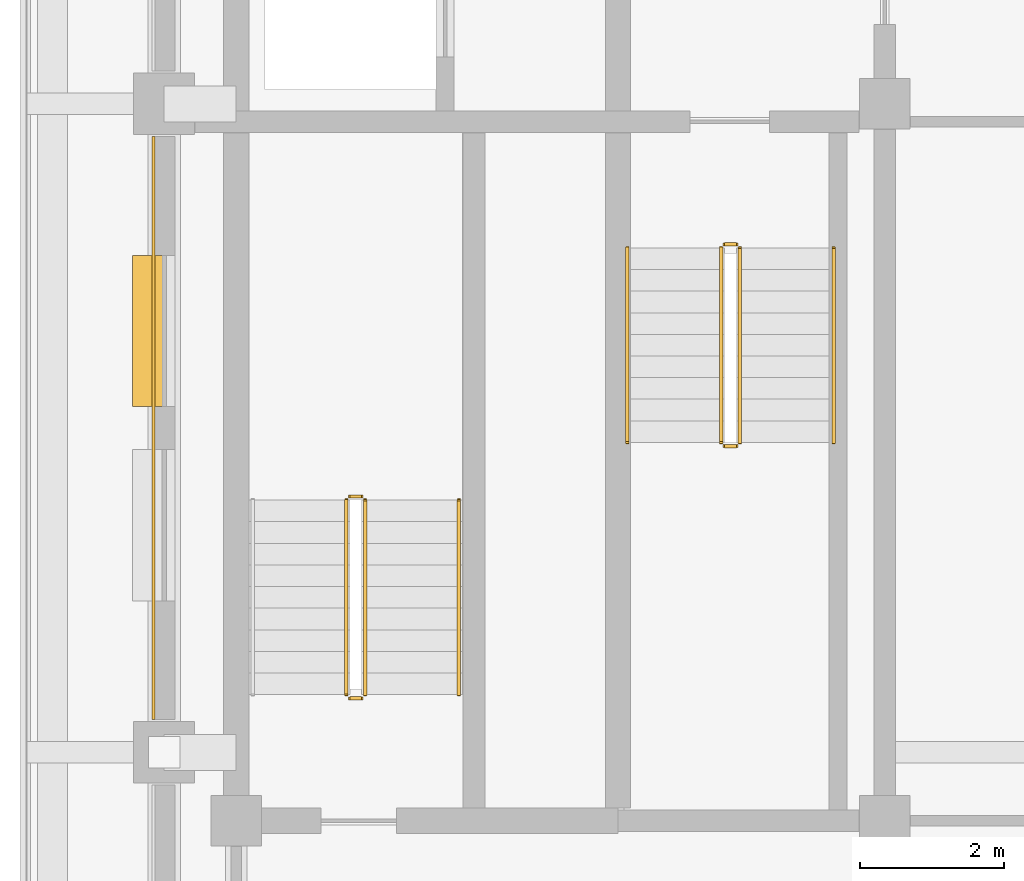
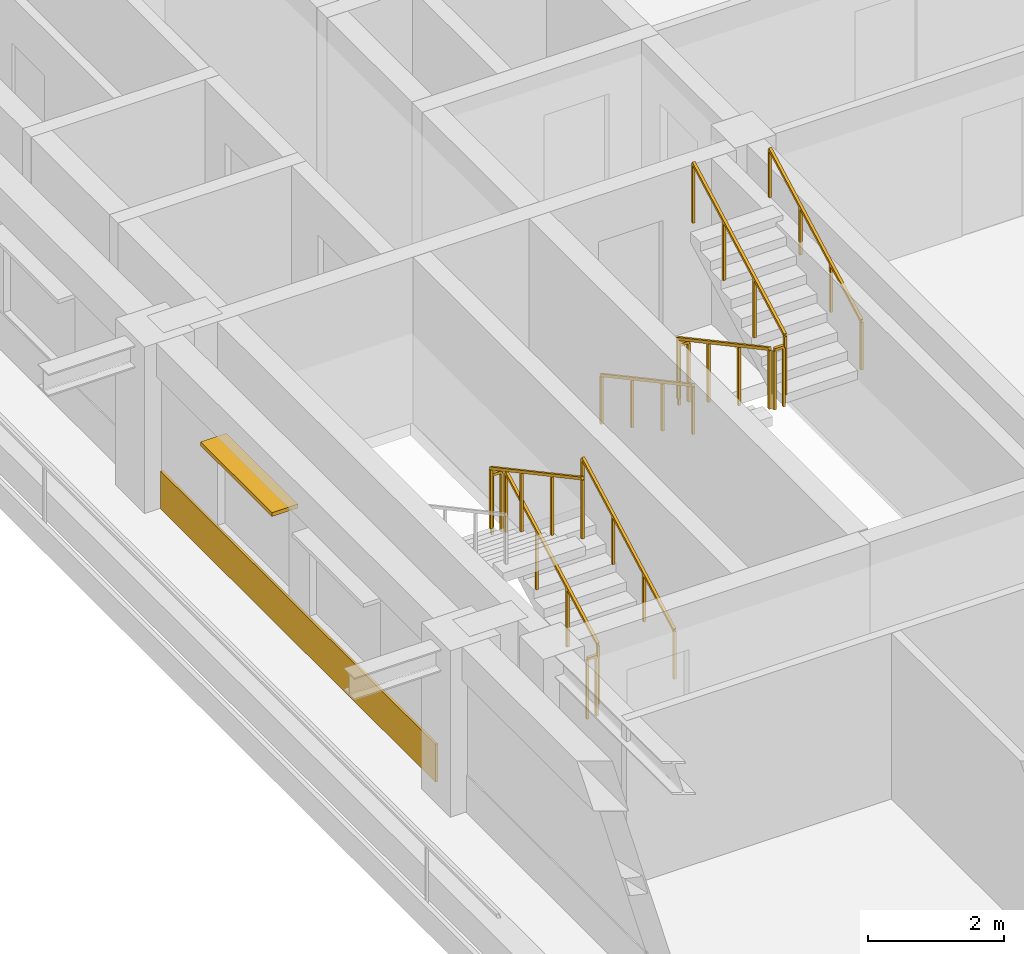
# One storey, part 8 of 11: 11 railings, 1 covering, 1 shading device.
"""IFC4 building model written with IfcOpenShell, lengths in metres."""

from ifc_helpers import new_model, si_unit, direction, frame, frame_2d, origin, origin_2d, place, context, subcontext, project, spatial, rectangle, extrude, material, layer, layer_set, type_object, element, save


model = new_model("IFC4")

# Units and contexts
model_context = context("Model", 3, precision=1e-05, world=origin(), true_north=direction((0.0, 1.0)))
body_context = subcontext(model_context, "Body", "Model", "MODEL_VIEW")
ifc_project = project(units=[si_unit("LENGTHUNIT", "METRE"), si_unit("AREAUNIT", "SQUARE_METRE"), si_unit("VOLUMEUNIT", "CUBIC_METRE"), si_unit("PLANEANGLEUNIT", "RADIAN"), si_unit("MASSUNIT", "GRAM", prefix="KILO")], contexts=[model_context])

# Site, building, storey
site_placement = place(None, origin())
site = spatial("IfcSite", under=ifc_project, at=site_placement, CompositionType="ELEMENT")
building_placement = place(site_placement, origin())
building = spatial("IfcBuilding", under=site, at=building_placement, Name="Zulmaris Gate Convention Tower", CompositionType="ELEMENT")
storey_placement = place(building_placement, frame((0.0, 0.0, 233.280029296875)))
storey = spatial("IfcBuildingStorey", under=building, at=storey_placement, Name="L61", CompositionType="ELEMENT", Elevation=233.280029296875)

# Covering
ifc_material_1 = material(Name="Precast concrete C40/50", Category="concrete")
ifc_layer_1 = layer(ifc_material_1, 0.0400390625, Name="Precast concrete C40/50")
ifc_layer_set_1 = layer_set([ifc_layer_1], Name="Precast concrete C40/50")
covering_type = type_object("IfcCoveringType", Name="CLAD-SPANDREL-PRECAST", PredefinedType="CLADDING", material=ifc_layer_set_1)
covering_placement = place(storey_placement, frame((-21.14990234375, -0.455078125, 0.0), z_axis=(0.0, 0.0, 1.0), x_axis=(0.0, -1.0, 0.0)))
element("IfcCovering", 1, at=covering_placement, inside=storey, type_object=covering_type, Name="CLD-L61-W-1_0", PredefinedType="CLADDING", context=body_context, shape_type="SweptSolid", body=[
    extrude(rectangle(XDim=8.08984375, YDim=0.0400390625, at=frame_2d((4.044921875, 0.0))), origin(), (0.0, 0.0, 1.0), 0.679931640625),
])

# Railings
ifc_material_2 = material(Name="Painted Galvanised Steel", Category="steel")
railing_type_1 = type_object("IfcRailingType", Name="RL-STG-1150", PredefinedType="GUARDRAIL", material=ifc_material_2)
railing_1_placement = place(storey_placement, frame((-13.27001953125, -2.0, 0.161376953125)))
element("IfcRailing", 2, at=railing_1_placement, inside=storey, type_object=railing_type_1, Name="L61 ST-1 stair guard 1", PredefinedType="GUARDRAIL", context=body_context, shape_type="SweptSolid", body=[
    extrude(rectangle(XDim=0.048095703125, YDim=0.048095703125, at=origin_2d()), frame((0.0, 0.0, 1.076171875), z_axis=(0.0, -0.880499220447, 0.474047595492), x_axis=(1.0, 0.0, 0.0)), (0.0, 0.0, 1.0), 3.06640625),
    extrude(rectangle(XDim=0.0419921875, YDim=0.0419921875, at=origin_2d()), origin(), (0.0, 0.0, 1.0), 1.052001953125),
    extrude(rectangle(XDim=0.0419921875, YDim=0.0419921875, at=origin_2d()), frame((0.0, -0.89990234375, 0.484619140625)), (0.0, 0.0, 1.0), 1.052001953125),
    extrude(rectangle(XDim=0.0419921875, YDim=0.0419921875, at=origin_2d()), frame((0.0, -1.800048828125, 0.968994140625)), (0.0, 0.0, 1.0), 1.052001953125),
    extrude(rectangle(XDim=0.0419921875, YDim=0.0419921875, at=origin_2d()), frame((0.0, -2.699951171875, 1.45361328125)), (0.0, 0.0, 1.0), 1.052001953125),
])
railing_2_placement = place(storey_placement, frame((-13.219970703125, -4.75, 1.614990234375)))
element("IfcRailing", 3, at=railing_2_placement, inside=storey, type_object=railing_type_1, Name="L61 ST-1 stair guard 2", PredefinedType="GUARDRAIL", context=body_context, shape_type="SweptSolid", body=[
    extrude(rectangle(XDim=0.048095703125, YDim=0.048095703125, at=origin_2d()), frame((0.0, 0.0, 1.076171875), z_axis=(1.0, 0.0, 0.0), x_axis=(0.0, 1.0, 0.0)), (0.0, 0.0, 1.0), 0.159912109375),
    extrude(rectangle(XDim=0.0419921875, YDim=0.0419921875, at=origin_2d()), origin(), (0.0, 0.0, 1.0), 1.052001953125),
    extrude(rectangle(XDim=0.0419921875, YDim=0.0419921875, at=origin_2d()), frame((0.159912109375, 0.0, 0.0)), (0.0, 0.0, 1.0), 1.052001953125),
])
railing_3_placement = place(storey_placement, frame((-13.010009765625, -4.699951171875, 1.7763671875)))
element("IfcRailing", 4, at=railing_3_placement, inside=storey, type_object=railing_type_1, Name="L61 ST-1 stair guard 3", PredefinedType="GUARDRAIL", context=body_context, shape_type="SweptSolid", body=[
    extrude(rectangle(XDim=0.048095703125, YDim=0.048095703125, at=origin_2d()), frame((0.0, 0.0, 1.076171875), z_axis=(0.0, 0.880499220447, 0.474047595492), x_axis=(-1.0, 0.0, 0.0)), (0.0, 0.0, 1.0), 3.06640625),
    extrude(rectangle(XDim=0.0419921875, YDim=0.0419921875, at=origin_2d()), origin(), (0.0, 0.0, 1.0), 1.052001953125),
    extrude(rectangle(XDim=0.0419921875, YDim=0.0419921875, at=origin_2d()), frame((0.0, 0.89990234375, 0.484619140625)), (0.0, 0.0, 1.0), 1.052001953125),
    extrude(rectangle(XDim=0.0419921875, YDim=0.0419921875, at=origin_2d()), frame((0.0, 1.800048828125, 0.968994140625)), (0.0, 0.0, 1.0), 1.052001953125),
    extrude(rectangle(XDim=0.0419921875, YDim=0.0419921875, at=origin_2d()), frame((0.0, 2.699951171875, 1.45361328125)), (0.0, 0.0, 1.0), 1.052001953125),
])
railing_4_placement = place(storey_placement, frame((-13.219970703125, -1.949951171875, 0.0)))
element("IfcRailing", 5, at=railing_4_placement, inside=storey, type_object=railing_type_1, Name="L61 ST-1 stair guard 4", PredefinedType="GUARDRAIL", context=body_context, shape_type="SweptSolid", body=[
    extrude(rectangle(XDim=0.048095703125, YDim=0.048095703125, at=origin_2d()), frame((0.0, 0.0, 1.076171875), z_axis=(1.0, 0.0, 0.0), x_axis=(0.0, 1.0, 0.0)), (0.0, 0.0, 1.0), 0.159912109375),
    extrude(rectangle(XDim=0.0419921875, YDim=0.0419921875, at=origin_2d()), origin(), (0.0, 0.0, 1.0), 1.052001953125),
    extrude(rectangle(XDim=0.0419921875, YDim=0.0419921875, at=origin_2d()), frame((0.159912109375, 0.0, 0.0)), (0.0, 0.0, 1.0), 1.052001953125),
])
railing_5_placement = place(storey_placement, frame((-18.2099609375, -8.199951171875, 0.161376953125)))
element("IfcRailing", 6, at=railing_5_placement, inside=storey, type_object=railing_type_1, Name="L61 ST-3 stair guard 1", PredefinedType="GUARDRAIL", context=body_context, shape_type="SweptSolid", body=[
    extrude(rectangle(XDim=0.048095703125, YDim=0.048095703125, at=origin_2d()), frame((0.0, 0.0, 1.076171875), z_axis=(0.0, 0.880499220447, 0.474047595492), x_axis=(-1.0, 0.0, 0.0)), (0.0, 0.0, 1.0), 3.06640625),
    extrude(rectangle(XDim=0.0419921875, YDim=0.0419921875, at=origin_2d()), origin(), (0.0, 0.0, 1.0), 1.052001953125),
    extrude(rectangle(XDim=0.0419921875, YDim=0.0419921875, at=origin_2d()), frame((0.0, 0.89990234375, 0.484619140625)), (0.0, 0.0, 1.0), 1.052001953125),
    extrude(rectangle(XDim=0.0419921875, YDim=0.0419921875, at=origin_2d()), frame((0.0, 1.800048828125, 0.968994140625)), (0.0, 0.0, 1.0), 1.052001953125),
    extrude(rectangle(XDim=0.0419921875, YDim=0.0419921875, at=origin_2d()), frame((0.0, 2.699951171875, 1.45361328125)), (0.0, 0.0, 1.0), 1.052001953125),
])
railing_6_placement = place(storey_placement, frame((-18.260009765625, -5.449951171875, 1.614990234375)))
element("IfcRailing", 7, at=railing_6_placement, inside=storey, type_object=railing_type_1, Name="L61 ST-3 stair guard 2", PredefinedType="GUARDRAIL", context=body_context, shape_type="SweptSolid", body=[
    extrude(rectangle(XDim=0.048095703125, YDim=0.048095703125, at=origin_2d()), frame((0.0, 0.0, 1.076171875), z_axis=(-1.0, 0.0, 0.0), x_axis=(0.0, -1.0, 0.0)), (0.0, 0.0, 1.0), 0.159912109375),
    extrude(rectangle(XDim=0.0419921875, YDim=0.0419921875, at=origin_2d()), origin(), (0.0, 0.0, 1.0), 1.052001953125),
    extrude(rectangle(XDim=0.0419921875, YDim=0.0419921875, at=origin_2d()), frame((-0.159912109375, 0.0, 0.0)), (0.0, 0.0, 1.0), 1.052001953125),
])
railing_7_placement = place(storey_placement, frame((-18.469970703125, -5.5, 1.7763671875)))
element("IfcRailing", 8, at=railing_7_placement, inside=storey, type_object=railing_type_1, Name="L61 ST-3 stair guard 3", PredefinedType="GUARDRAIL", context=body_context, shape_type="SweptSolid", body=[
    extrude(rectangle(XDim=0.048095703125, YDim=0.048095703125, at=origin_2d()), frame((0.0, 0.0, 1.076171875), z_axis=(0.0, -0.880499220447, 0.474047595492), x_axis=(1.0, 0.0, 0.0)), (0.0, 0.0, 1.0), 3.06640625),
    extrude(rectangle(XDim=0.0419921875, YDim=0.0419921875, at=origin_2d()), origin(), (0.0, 0.0, 1.0), 1.052001953125),
    extrude(rectangle(XDim=0.0419921875, YDim=0.0419921875, at=origin_2d()), frame((0.0, -0.89990234375, 0.484619140625)), (0.0, 0.0, 1.0), 1.052001953125),
    extrude(rectangle(XDim=0.0419921875, YDim=0.0419921875, at=origin_2d()), frame((0.0, -1.800048828125, 0.968994140625)), (0.0, 0.0, 1.0), 1.052001953125),
    extrude(rectangle(XDim=0.0419921875, YDim=0.0419921875, at=origin_2d()), frame((0.0, -2.699951171875, 1.45361328125)), (0.0, 0.0, 1.0), 1.052001953125),
])
railing_8_placement = place(storey_placement, frame((-18.260009765625, -8.25, 0.0)))
element("IfcRailing", 9, at=railing_8_placement, inside=storey, type_object=railing_type_1, Name="L61 ST-3 stair guard 4", PredefinedType="GUARDRAIL", context=body_context, shape_type="SweptSolid", body=[
    extrude(rectangle(XDim=0.048095703125, YDim=0.048095703125, at=origin_2d()), frame((0.0, 0.0, 1.076171875), z_axis=(-1.0, 0.0, 0.0), x_axis=(0.0, -1.0, 0.0)), (0.0, 0.0, 1.0), 0.159912109375),
    extrude(rectangle(XDim=0.0419921875, YDim=0.0419921875, at=origin_2d()), origin(), (0.0, 0.0, 1.0), 1.052001953125),
    extrude(rectangle(XDim=0.0419921875, YDim=0.0419921875, at=origin_2d()), frame((-0.159912109375, 0.0, 0.0)), (0.0, 0.0, 1.0), 1.052001953125),
])
ifc_material_3 = material(Name="Brushed Stainless Steel", Category="steel")
railing_type_2 = type_object("IfcRailingType", Name="RL-STH-900", PredefinedType="HANDRAIL", material=ifc_material_3)
railing_9_placement = place(storey_placement, frame((-14.570068359375, -2.0, 0.161376953125)))
element("IfcRailing", 10, at=railing_9_placement, inside=storey, type_object=railing_type_2, Name="L61 ST-1 stair handrail 1", PredefinedType="HANDRAIL", context=body_context, shape_type="SweptSolid", body=[
    extrude(rectangle(XDim=0.048095703125, YDim=0.048095703125, at=origin_2d()), frame((0.0, 0.0, 0.8759765625), z_axis=(0.0, -0.880499220447, 0.474047595492), x_axis=(1.0, 0.0, 0.0)), (0.0, 0.0, 1.0), 3.06640625),
    extrude(rectangle(XDim=0.0419921875, YDim=0.0419921875, at=origin_2d()), origin(), (0.0, 0.0, 1.0), 0.851806640625),
    extrude(rectangle(XDim=0.0419921875, YDim=0.0419921875, at=origin_2d()), frame((0.0, -0.89990234375, 0.484619140625)), (0.0, 0.0, 1.0), 0.851806640625),
    extrude(rectangle(XDim=0.0419921875, YDim=0.0419921875, at=origin_2d()), frame((0.0, -1.800048828125, 0.968994140625)), (0.0, 0.0, 1.0), 0.851806640625),
    extrude(rectangle(XDim=0.0419921875, YDim=0.0419921875, at=origin_2d()), frame((0.0, -2.699951171875, 1.45361328125)), (0.0, 0.0, 1.0), 0.851806640625),
])
for number, where, name in (
    (11, (-11.7099609375, -4.699951171875, 1.7763671875), "L61 ST-1 stair handrail 2"),
    (12, (-16.909912109375, -8.199951171875, 0.161376953125), "L61 ST-3 stair handrail 1"),
):
    element("IfcRailing", number, at=place(storey_placement, frame(where)), inside=storey, type_object=railing_type_2, Name=name, PredefinedType="HANDRAIL", context=body_context, shape_type="SweptSolid", body=[
        extrude(rectangle(XDim=0.048095703125, YDim=0.048095703125, at=origin_2d()), frame((0.0, 0.0, 0.8759765625), z_axis=(0.0, 0.880499220447, 0.474047595492), x_axis=(-1.0, 0.0, 0.0)), (0.0, 0.0, 1.0), 3.06640625),
        extrude(rectangle(XDim=0.0419921875, YDim=0.0419921875, at=origin_2d()), origin(), (0.0, 0.0, 1.0), 0.851806640625),
        extrude(rectangle(XDim=0.0419921875, YDim=0.0419921875, at=origin_2d()), frame((0.0, 0.89990234375, 0.484619140625)), (0.0, 0.0, 1.0), 0.851806640625),
        extrude(rectangle(XDim=0.0419921875, YDim=0.0419921875, at=origin_2d()), frame((0.0, 1.800048828125, 0.968994140625)), (0.0, 0.0, 1.0), 0.851806640625),
        extrude(rectangle(XDim=0.0419921875, YDim=0.0419921875, at=origin_2d()), frame((0.0, 2.699951171875, 1.45361328125)), (0.0, 0.0, 1.0), 0.851806640625),
    ])

# Shading device
ifc_material_4 = material(Name="Glazed Ceramic Terracotta", Category="masonry")
ifc_layer_2 = layer(ifc_material_4, 0.070068359375, Name="Glazed Ceramic Terracotta")
ifc_layer_set_2 = layer_set([ifc_layer_2], Name="Glazed Ceramic Terracotta")
shading_device_type = type_object("IfcShadingDeviceType", Name="SHD-SUNSHADE-TC", PredefinedType="AWNING", material=ifc_layer_set_2)
shading_device_placement = place(storey_placement, frame((-21.219970703125, -2.10205078125, 2.22998046875), z_axis=(0.0, 0.0, 1.0), x_axis=(0.0, -1.0, 0.0)))
element("IfcShadingDevice", 13, at=shading_device_placement, inside=storey, type_object=shading_device_type, Name="SHD-EW-L61-W-1_0-1", PredefinedType="AWNING", context=body_context, shape_type="SweptSolid", body=[
    extrude(rectangle(XDim=2.099853515625, YDim=0.43994140625, at=frame_2d((1.0498046875, 0.0))), origin(), (0.0, 0.0, 1.0), 0.070068359375),
])

save(model, "model.ifc")
